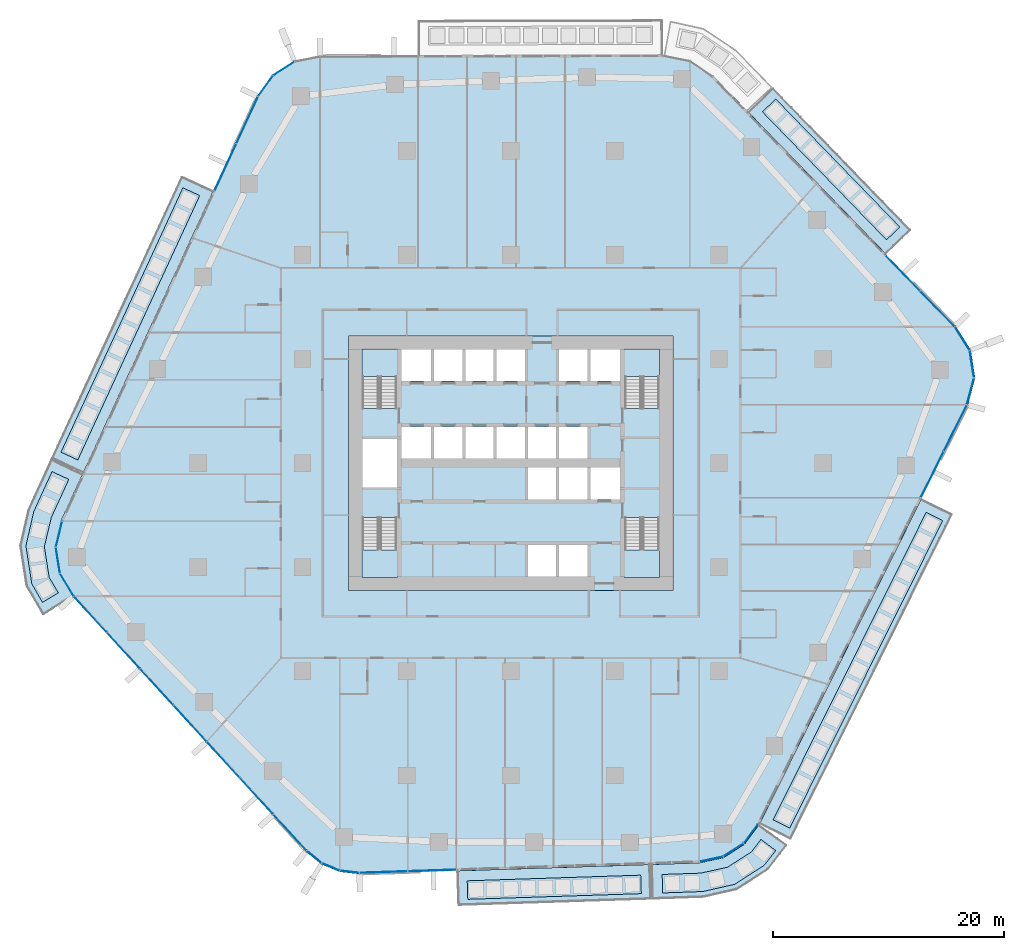
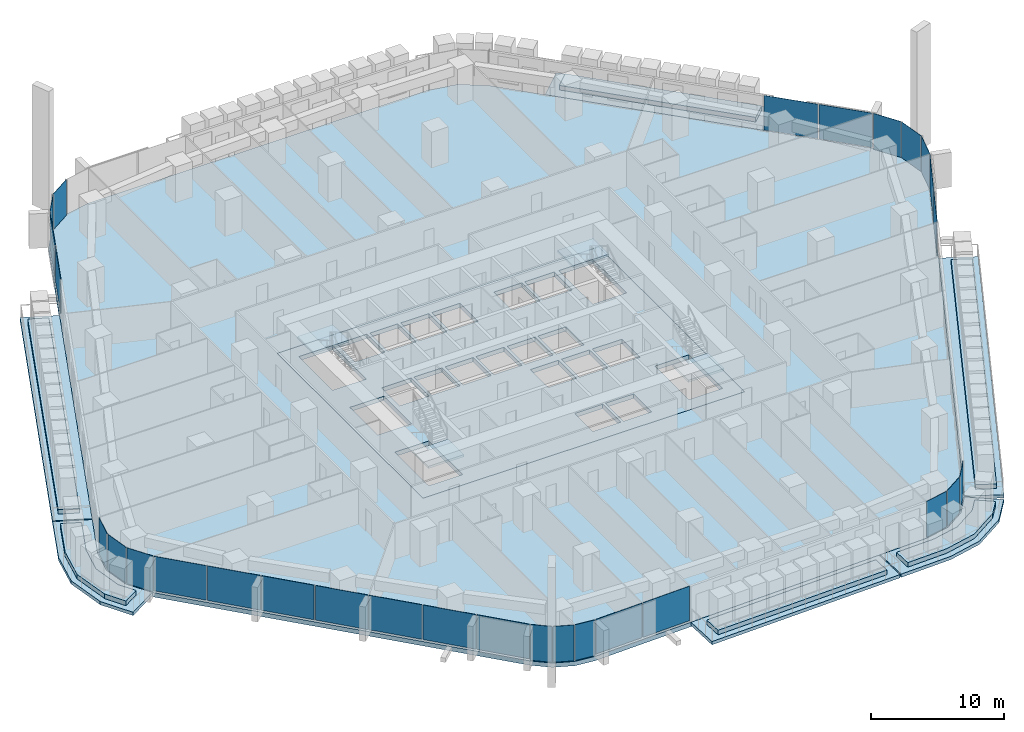
# One storey, part 11 of 27: 29 plates, 18 slabs, 14 elements without a shape of their own.
"""IFC4 building model written with IfcOpenShell, lengths in metres."""

from ifc_helpers import new_model, si_unit, direction, frame, origin, origin_2d, place, context, subcontext, project, spatial, polyline, rectangle, outline, extrude, material, layer, layer_set, type_object, element, aggregate, save


model = new_model("IFC4")

# Units and contexts
model_context = context("Model", 3, precision=1e-05, world=origin(), true_north=direction((0.0, 1.0)))
body_context = subcontext(model_context, "Body", "Model", "MODEL_VIEW")
ifc_project = project(units=[si_unit("LENGTHUNIT", "METRE"), si_unit("AREAUNIT", "SQUARE_METRE"), si_unit("VOLUMEUNIT", "CUBIC_METRE"), si_unit("PLANEANGLEUNIT", "RADIAN"), si_unit("MASSUNIT", "GRAM", prefix="KILO")], contexts=[model_context])

# Site, building, storey
site_placement = place(None, origin())
site = spatial("IfcSite", under=ifc_project, at=site_placement, CompositionType="ELEMENT")
building_placement = place(site_placement, origin())
building = spatial("IfcBuilding", under=site, at=building_placement, Name="Dongbaek Canopy Tower", CompositionType="ELEMENT")
storey_placement = place(building_placement, frame((0.0, 0.0, 55.10009765625)))
storey = spatial("IfcBuildingStorey", under=building, at=storey_placement, Name="L09", CompositionType="ELEMENT", Elevation=55.10009765625)

# Slabs
ifc_material_1 = material(Name="Concrete C40/50", Category="concrete")
ifc_layer_1 = layer(ifc_material_1, 0.300048828125)
ifc_layer_set_1 = layer_set([ifc_layer_1], Name="Balcony slab 300")
slab_type_1 = type_object("IfcSlabType", Name="Balcony slab 300", PredefinedType="FLOOR", material=ifc_layer_set_1)
slab_1_placement = place(storey_placement, frame((0.0, 0.0, -0.300048828125)))
element("IfcSlab", 1, at=slab_1_placement, inside=storey, type_object=slab_type_1, Name="Balcony L09 1", PredefinedType="FLOOR", context=body_context, shape_type="SweptSolid", body=[
    extrude(outline(polyline([(32.42578125, 18.0625), (20.51953125, 30.344482421875), (22.673583984375, 32.4326171875), (34.579833984375, 20.150634765625), (32.42578125, 18.0625)])), origin(), (0.0, 0.0, 1.0), 0.300048828125),
])
slab_2_placement = place(storey_placement, frame((0.0, 0.0, -0.300048828125)))
element("IfcSlab", 2, at=slab_2_placement, inside=storey, type_object=slab_type_1, Name="Balcony L09 3", PredefinedType="FLOOR", context=body_context, shape_type="SweptSolid", body=[
    extrude(outline(polyline([(-25.712890625, 23.520751953125), (-36.9619140625, -0.86962890625), (-39.68603515625, 0.38671875), (-28.43701171875, 24.777099609375), (-25.712890625, 23.520751953125)])), origin(), (0.0, 0.0, 1.0), 0.300048828125),
])
slab_3_placement = place(storey_placement, frame((0.0, 0.0, -0.300048828125)))
element("IfcSlab", 3, at=slab_3_placement, inside=storey, type_object=slab_type_1, Name="Balcony L09 7", PredefinedType="FLOOR", context=body_context, shape_type="SweptSolid", body=[
    extrude(outline(polyline([(-37.003662109375, -0.96044921875), (-38.864501953125, -4.9951171875), (-39.4111328125, -7.261474609375), (-39.052490234375, -9.56494140625), (-37.869140625, -11.51513671875), (-40.433837890625, -13.0712890625), (-41.870849609375, -10.59326171875), (-42.408447265625, -7.13818359375), (-41.698486328125, -4.0107421875), (-39.727783203125, 0.2958984375), (-37.003662109375, -0.96044921875)])), origin(), (0.0, 0.0, 1.0), 0.300048828125),
])
slab_4_placement = place(storey_placement, frame((0.0, 0.0, -0.300048828125)))
element("IfcSlab", 4, at=slab_4_placement, inside=storey, type_object=slab_type_1, Name="Balcony L09 4", PredefinedType="FLOOR", context=body_context, shape_type="SweptSolid", body=[
    extrude(outline(polyline([(-4.643310546875, -35.234130859375), (12.052001953125, -34.68896484375), (12.14990234375, -37.687255859375), (-4.545166015625, -38.232666015625), (-4.643310546875, -35.234130859375)])), origin(), (0.0, 0.0, 1.0), 0.300048828125),
])
slab_5_placement = place(storey_placement, frame((0.0, 0.0, -0.300048828125)))
element("IfcSlab", 5, at=slab_5_placement, inside=storey, type_object=slab_type_1, Name="Balcony L09 8", PredefinedType="FLOOR", context=body_context, shape_type="SweptSolid", body=[
    extrude(outline(polyline([(12.15185546875, -34.685546875), (16.30078125, -34.550048828125), (18.393798828125, -34.099609375), (20.1953125, -32.94287109375), (21.446044921875, -31.267333984375), (23.85009765625, -33.06201171875), (22.240478515625, -35.1376953125), (19.5380859375, -36.872802734375), (16.666748046875, -37.527587890625), (12.249755859375, -37.68408203125), (12.15185546875, -34.685546875)])), origin(), (0.0, 0.0, 1.0), 0.300048828125),
])
slab_6_placement = place(storey_placement, frame((0.0, 0.0, -0.300048828125)))
element("IfcSlab", 6, at=slab_6_placement, inside=storey, type_object=slab_type_1, Name="Balcony L09 5", PredefinedType="FLOOR", context=body_context, shape_type="SweptSolid", body=[
    extrude(outline(polyline([(21.498291015625, -31.1826171875), (35.4814453125, -3.095703125), (38.167236328125, -4.432861328125), (24.183837890625, -32.51953125), (21.498291015625, -31.1826171875)])), origin(), (0.0, 0.0, 1.0), 0.300048828125),
])

# Curtain wall, plates
ifc_material_2 = material(Name="Aluminium 6063-T6 pale anodised", Category="aluminium")
ifc_layer_2 = layer(ifc_material_2, 0.199951171875)
ifc_layer_set_2 = layer_set([ifc_layer_2], Name="CW-1 unitised tower curtain wall")
curtain_wall_type = type_object("IfcCurtainWallType", Name="CW-1 unitised tower curtain wall", PredefinedType="NOTDEFINED", material=ifc_layer_set_2)
curtain_wall_1_placement = place(storey_placement, origin())
curtain_wall_1 = element("IfcCurtainWall", 7, at=curtain_wall_1_placement, inside=storey, type_object=curtain_wall_type, Name="CW-1 curtain wall K0.1", PredefinedType="NOTDEFINED")
ifc_material_3 = material(Name="Clear laminated glass", Category="glass")
ifc_layer_3 = layer(ifc_material_3, 0.028076171875)
ifc_layer_set_3 = layer_set([ifc_layer_3], Name="CW-1 glazed panel 28")
plate_type = type_object("IfcPlateType", Name="CW-1 glazed panel 28", PredefinedType="CURTAIN_PANEL", material=ifc_layer_set_3)
plate_1_placement = place(storey_placement, frame((39.72412109375, 6.202880859375, 0.0), z_axis=(0.0, 0.0, 1.0), x_axis=(0.253824279961, 0.967250347585, 0.0)))
plate_1 = element("IfcPlate", 8, at=plate_1_placement, type_object=plate_type, Name="CW-1 panel K0.1.1.1", PredefinedType="CURTAIN_PANEL", context=body_context, shape_type="SweptSolid", body=[
    extrude(rectangle(XDim=2.331298828125, YDim=0.028076171875, at=origin_2d()), origin(), (0.0, 0.0, 1.0), 3.300048828125),
])
plate_2_placement = place(storey_placement, frame((39.84619140625, 8.55908203125, 0.0), z_axis=(0.0, 0.0, 1.0), x_axis=(-0.153359578382, 0.988170450741, 0.0)))
plate_2 = element("IfcPlate", 9, at=plate_2_placement, type_object=plate_type, Name="CW-1 panel K0.1.2.1", PredefinedType="CURTAIN_PANEL", context=body_context, shape_type="SweptSolid", body=[
    extrude(rectangle(XDim=2.32080078125, YDim=0.028076171875, at=origin_2d()), origin(), (0.0, 0.0, 1.0), 3.300048828125),
])
plate_3_placement = place(storey_placement, frame((39.015869140625, 10.767333984375, 0.0), z_axis=(0.0, 0.0, 1.0), x_axis=(-0.535049500926, 0.844820709713, 0.0)))
plate_3 = element("IfcPlate", 10, at=plate_3_placement, type_object=plate_type, Name="CW-1 panel K0.1.3.1", PredefinedType="CURTAIN_PANEL", context=body_context, shape_type="SweptSolid", body=[
    extrude(rectangle(XDim=2.331298828125, YDim=0.028076171875, at=origin_2d()), origin(), (0.0, 0.0, 1.0), 3.300048828125),
])
aggregate(curtain_wall_1, [plate_1, plate_2, plate_3])

curtain_wall_2_placement = place(storey_placement, origin())
curtain_wall_2 = element("IfcCurtainWall", 11, at=curtain_wall_2_placement, inside=storey, type_object=curtain_wall_type, Name="CW-1 curtain wall F0.1", PredefinedType="NOTDEFINED")
plate_4_placement = place(storey_placement, frame((36.876220703125, 13.328125, 0.1201171875), z_axis=(0.0, 0.0, 1.0), x_axis=(-0.69603897457, 0.718004001298, 0.0)))
plate_4 = element("IfcPlate", 12, at=plate_4_placement, type_object=plate_type, Name="CW-1 panel F0.1.1.1", PredefinedType="CURTAIN_PANEL", context=body_context, shape_type="SweptSolid", body=[
    extrude(rectangle(XDim=4.20703125, YDim=0.028076171875, at=origin_2d()), origin(), (0.0, 0.0, 1.0), 3.179931640625),
])
plate_5_placement = place(storey_placement, frame((33.885986328125, 16.412841796875, 0.1201171875), z_axis=(0.0, 0.0, 1.0), x_axis=(-0.69603897457, 0.718004001298, 0.0)))
plate_5 = element("IfcPlate", 13, at=plate_5_placement, type_object=plate_type, Name="CW-1 panel F0.1.2.1", PredefinedType="CURTAIN_PANEL", context=body_context, shape_type="SweptSolid", body=[
    extrude(rectangle(XDim=4.217529296875, YDim=0.028076171875, at=origin_2d()), origin(), (0.0, 0.0, 1.0), 3.179931640625),
])
aggregate(curtain_wall_2, [plate_4, plate_5])

curtain_wall_3_placement = place(storey_placement, origin())
curtain_wall_3 = element("IfcCurtainWall", 14, at=curtain_wall_3_placement, inside=storey, type_object=curtain_wall_type, Name="CW-1 curtain wall K2.1", PredefinedType="NOTDEFINED")
plate_6_placement = place(storey_placement, frame((-19.60888671875, 34.08837890625, 0.0), z_axis=(0.0, 0.0, 1.0), x_axis=(-0.841542992553, -0.540190144009, 0.0)))
plate_6 = element("IfcPlate", 15, at=plate_6_placement, type_object=plate_type, Name="CW-1 panel K2.1.2.1", PredefinedType="CURTAIN_PANEL", context=body_context, shape_type="SweptSolid", body=[
    extrude(rectangle(XDim=2.13623046875, YDim=0.028076171875, at=origin_2d()), origin(), (0.0, 0.0, 1.0), 3.300048828125),
])
plate_7_placement = place(storey_placement, frame((-21.1923828125, 32.582275390625, 0.0), z_axis=(0.0, 0.0, 1.0), x_axis=(-0.58222955905, -0.813024440327, 0.0)))
plate_7 = element("IfcPlate", 16, at=plate_7_placement, type_object=plate_type, Name="CW-1 panel K2.1.3.1", PredefinedType="CURTAIN_PANEL", context=body_context, shape_type="SweptSolid", body=[
    extrude(rectangle(XDim=2.145751953125, YDim=0.028076171875, at=origin_2d()), origin(), (0.0, 0.0, 1.0), 3.300048828125),
])
aggregate(curtain_wall_3, [plate_6, plate_7])

curtain_wall_4_placement = place(storey_placement, origin())
curtain_wall_4 = element("IfcCurtainWall", 17, at=curtain_wall_4_placement, inside=storey, type_object=curtain_wall_type, Name="CW-1 curtain wall F2.1", PredefinedType="NOTDEFINED")
plate_8_placement = place(storey_placement, frame((-22.7802734375, 29.64013671875, 0.1201171875), z_axis=(0.0, 0.0, 1.0), x_axis=(-0.418811237761, -0.908073315942, 0.0)))
plate_8 = element("IfcPlate", 18, at=plate_8_placement, type_object=plate_type, Name="CW-1 panel F2.1.1.1", PredefinedType="CURTAIN_PANEL", context=body_context, shape_type="SweptSolid", body=[
    extrude(rectangle(XDim=4.399658203125, YDim=0.028076171875, at=origin_2d()), origin(), (0.0, 0.0, 1.0), 3.179931640625),
])
plate_9_placement = place(storey_placement, frame((-24.66015625, 25.564208984375, 0.1201171875), z_axis=(0.0, 0.0, 1.0), x_axis=(-0.418811237761, -0.908073315942, 0.0)))
plate_9 = element("IfcPlate", 19, at=plate_9_placement, type_object=plate_type, Name="CW-1 panel F2.1.2.1", PredefinedType="CURTAIN_PANEL", context=body_context, shape_type="SweptSolid", body=[
    extrude(rectangle(XDim=4.4091796875, YDim=0.028076171875, at=origin_2d()), origin(), (0.0, 0.0, 1.0), 3.179931640625),
])
aggregate(curtain_wall_4, [plate_8, plate_9])

curtain_wall_5_placement = place(storey_placement, origin())
curtain_wall_5 = element("IfcCurtainWall", 20, at=curtain_wall_5_placement, inside=storey, type_object=curtain_wall_type, Name="CW-1 curtain wall K3.1", PredefinedType="NOTDEFINED")
plate_10_placement = place(storey_placement, frame((-39.039306640625, -6.14697265625, 0.0), z_axis=(0.0, 0.0, 1.0), x_axis=(-0.234426155639, -0.972133929843, 0.0)))
plate_10 = element("IfcPlate", 21, at=plate_10_placement, type_object=plate_type, Name="CW-1 panel K3.1.1.1", PredefinedType="CURTAIN_PANEL", context=body_context, shape_type="SweptSolid", body=[
    extrude(rectangle(XDim=2.217529296875, YDim=0.028076171875, at=origin_2d()), origin(), (0.0, 0.0, 1.0), 3.300048828125),
])
plate_11_placement = place(storey_placement, frame((-39.133056640625, -8.397705078125, 0.0), z_axis=(0.0, 0.0, 1.0), x_axis=(0.153774363281, -0.988105988848, 0.0)))
plate_11 = element("IfcPlate", 22, at=plate_11_placement, type_object=plate_type, Name="CW-1 panel K3.1.2.1", PredefinedType="CURTAIN_PANEL", context=body_context, shape_type="SweptSolid", body=[
    extrude(rectangle(XDim=2.20751953125, YDim=0.028076171875, at=origin_2d()), origin(), (0.0, 0.0, 1.0), 3.300048828125),
])
plate_12_placement = place(storey_placement, frame((-38.35986328125, -10.513671875, 0.0), z_axis=(0.0, 0.0, 1.0), x_axis=(0.518761911703, -0.854918755769, 0.0)))
plate_12 = element("IfcPlate", 23, at=plate_12_placement, type_object=plate_type, Name="CW-1 panel K3.1.3.1", PredefinedType="CURTAIN_PANEL", context=body_context, shape_type="SweptSolid", body=[
    extrude(rectangle(XDim=2.217529296875, YDim=0.028076171875, at=origin_2d()), origin(), (0.0, 0.0, 1.0), 3.300048828125),
])
aggregate(curtain_wall_5, [plate_10, plate_11, plate_12])

curtain_wall_6_placement = place(storey_placement, origin())
curtain_wall_6 = element("IfcCurtainWall", 24, at=curtain_wall_6_placement, inside=storey, type_object=curtain_wall_type, Name="CW-1 curtain wall F3.1", PredefinedType="NOTDEFINED")
plate_13_placement = place(storey_placement, frame((-36.328369140625, -13.065673828125, 0.1201171875), z_axis=(0.0, 0.0, 1.0), x_axis=(0.674959422667, -0.737854848702, 0.0)))
plate_13 = element("IfcPlate", 25, at=plate_13_placement, type_object=plate_type, Name="CW-1 panel F3.1.1.1", PredefinedType="CURTAIN_PANEL", context=body_context, shape_type="SweptSolid", body=[
    extrude(rectangle(XDim=4.166748046875, YDim=0.028076171875, at=origin_2d()), origin(), (0.0, 0.0, 1.0), 3.179931640625),
])
plate_14_placement = place(storey_placement, frame((-33.4560546875, -16.205810546875, 0.1201171875), z_axis=(0.0, 0.0, 1.0), x_axis=(0.674959422667, -0.737854848702, 0.0)))
plate_14 = element("IfcPlate", 26, at=plate_14_placement, type_object=plate_type, Name="CW-1 panel F3.1.2.1", PredefinedType="CURTAIN_PANEL", context=body_context, shape_type="SweptSolid", body=[
    extrude(rectangle(XDim=4.176513671875, YDim=0.028076171875, at=origin_2d()), origin(), (0.0, 0.0, 1.0), 3.179931640625),
])
plate_15_placement = place(storey_placement, frame((-30.580322265625, -19.349365234375, 0.1201171875), z_axis=(0.0, 0.0, 1.0), x_axis=(0.674959422667, -0.737854848702, 0.0)))
plate_15 = element("IfcPlate", 27, at=plate_15_placement, type_object=plate_type, Name="CW-1 panel F3.1.3.1", PredefinedType="CURTAIN_PANEL", context=body_context, shape_type="SweptSolid", body=[
    extrude(rectangle(XDim=4.176513671875, YDim=0.028076171875, at=origin_2d()), origin(), (0.0, 0.0, 1.0), 3.179931640625),
])
plate_16_placement = place(storey_placement, frame((-27.704833984375, -22.492919921875, 0.1201171875), z_axis=(0.0, 0.0, 1.0), x_axis=(0.674959422667, -0.737854848702, 0.0)))
plate_16 = element("IfcPlate", 28, at=plate_16_placement, type_object=plate_type, Name="CW-1 panel F3.1.4.1", PredefinedType="CURTAIN_PANEL", context=body_context, shape_type="SweptSolid", body=[
    extrude(rectangle(XDim=4.176513671875, YDim=0.028076171875, at=origin_2d()), origin(), (0.0, 0.0, 1.0), 3.179931640625),
])
plate_17_placement = place(storey_placement, frame((-24.8291015625, -25.636474609375, 0.1201171875), z_axis=(0.0, 0.0, 1.0), x_axis=(0.674959422667, -0.737854848702, 0.0)))
plate_17 = element("IfcPlate", 29, at=plate_17_placement, type_object=plate_type, Name="CW-1 panel F3.1.5.1", PredefinedType="CURTAIN_PANEL", context=body_context, shape_type="SweptSolid", body=[
    extrude(rectangle(XDim=4.176513671875, YDim=0.028076171875, at=origin_2d()), origin(), (0.0, 0.0, 1.0), 3.179931640625),
])
plate_18_placement = place(storey_placement, frame((-21.953369140625, -28.780029296875, 0.1201171875), z_axis=(0.0, 0.0, 1.0), x_axis=(0.674959422667, -0.737854848702, 0.0)))
plate_18 = element("IfcPlate", 30, at=plate_18_placement, type_object=plate_type, Name="CW-1 panel F3.1.6.1", PredefinedType="CURTAIN_PANEL", context=body_context, shape_type="SweptSolid", body=[
    extrude(rectangle(XDim=4.176513671875, YDim=0.028076171875, at=origin_2d()), origin(), (0.0, 0.0, 1.0), 3.179931640625),
])
plate_19_placement = place(storey_placement, frame((-19.080322265625, -31.921142578125, 0.1201171875), z_axis=(0.0, 0.0, 1.0), x_axis=(0.674959422667, -0.737854848702, 0.0)))
plate_19 = element("IfcPlate", 31, at=plate_19_placement, type_object=plate_type, Name="CW-1 panel F3.1.7.1", PredefinedType="CURTAIN_PANEL", context=body_context, shape_type="SweptSolid", body=[
    extrude(rectangle(XDim=4.169189453125, YDim=0.028076171875, at=origin_2d()), origin(), (0.0, 0.0, 1.0), 3.179931640625),
])
aggregate(curtain_wall_6, [plate_13, plate_14, plate_15, plate_16, plate_17, plate_18, plate_19])

curtain_wall_7_placement = place(storey_placement, origin())
curtain_wall_7 = element("IfcCurtainWall", 32, at=curtain_wall_7_placement, inside=storey, type_object=curtain_wall_type, Name="CW-1 curtain wall K4.1", PredefinedType="NOTDEFINED")
plate_20_placement = place(storey_placement, frame((-16.98828125, -34.02783203125, 0.0), z_axis=(0.0, 0.0, 1.0), x_axis=(0.773703452256, -0.633547920813, 0.0)))
plate_20 = element("IfcPlate", 33, at=plate_20_placement, type_object=plate_type, Name="CW-1 panel K4.1.1.1", PredefinedType="CURTAIN_PANEL", context=body_context, shape_type="SweptSolid", body=[
    extrude(rectangle(XDim=1.613525390625, YDim=0.028076171875, at=origin_2d()), origin(), (0.0, 0.0, 1.0), 3.300048828125),
])
plate_21_placement = place(storey_placement, frame((-15.552734375, -34.893798828125, 0.0), z_axis=(0.0, 0.0, 1.0), x_axis=(0.921598440482, -0.388144708196, 0.0)))
plate_21 = element("IfcPlate", 34, at=plate_21_placement, type_object=plate_type, Name="CW-1 panel K4.1.2.1", PredefinedType="CURTAIN_PANEL", context=body_context, shape_type="SweptSolid", body=[
    extrude(rectangle(XDim=1.606201171875, YDim=0.028076171875, at=origin_2d()), origin(), (0.0, 0.0, 1.0), 3.300048828125),
])
plate_22_placement = place(storey_placement, frame((-13.930419921875, -35.31591796875, 0.0), z_axis=(0.0, 0.0, 1.0), x_axis=(0.993834192514, -0.110876497913, 0.0)))
plate_22 = element("IfcPlate", 35, at=plate_22_placement, type_object=plate_type, Name="CW-1 panel K4.1.3.1", PredefinedType="CURTAIN_PANEL", context=body_context, shape_type="SweptSolid", body=[
    extrude(rectangle(XDim=1.613525390625, YDim=0.028076171875, at=origin_2d()), origin(), (0.0, 0.0, 1.0), 3.300048828125),
])
aggregate(curtain_wall_7, [plate_20, plate_21, plate_22])

curtain_wall_8_placement = place(storey_placement, origin())
curtain_wall_8 = element("IfcCurtainWall", 36, at=curtain_wall_8_placement, inside=storey, type_object=curtain_wall_type, Name="CW-1 curtain wall F4.1", PredefinedType="NOTDEFINED")
plate_23_placement = place(storey_placement, frame((-10.990966796875, -35.341552734375, 0.1201171875), z_axis=(0.0, 0.0, 1.0), x_axis=(0.999466990626, 0.032645591573, 0.0)))
plate_23 = element("IfcPlate", 37, at=plate_23_placement, type_object=plate_type, Name="CW-1 panel F4.1.1.1", PredefinedType="CURTAIN_PANEL", context=body_context, shape_type="SweptSolid", body=[
    extrude(rectangle(XDim=4.10986328125, YDim=0.028076171875, at=origin_2d()), origin(), (0.0, 0.0, 1.0), 3.179931640625),
])
plate_24_placement = place(storey_placement, frame((-6.7958984375, -35.204345703125, 0.1201171875), z_axis=(0.0, 0.0, 1.0), x_axis=(0.999466990626, 0.032645591573, 0.0)))
plate_24 = element("IfcPlate", 38, at=plate_24_placement, type_object=plate_type, Name="CW-1 panel F4.1.2.1", PredefinedType="CURTAIN_PANEL", context=body_context, shape_type="SweptSolid", body=[
    extrude(rectangle(XDim=4.116943359375, YDim=0.028076171875, at=origin_2d()), origin(), (0.0, 0.0, 1.0), 3.179931640625),
])
aggregate(curtain_wall_8, [plate_23, plate_24])

curtain_wall_9_placement = place(storey_placement, origin())
curtain_wall_9 = element("IfcCurtainWall", 39, at=curtain_wall_9_placement, inside=storey, type_object=curtain_wall_type, Name="CW-1 curtain wall K5.1", PredefinedType="NOTDEFINED")
plate_25_placement = place(storey_placement, frame((17.32177734375, -34.22802734375, 0.0), z_axis=(0.0, 0.0, 1.0), x_axis=(0.977607769936, 0.210435377636, 0.0)))
plate_25 = element("IfcPlate", 40, at=plate_25_placement, type_object=plate_type, Name="CW-1 panel K5.1.1.1", PredefinedType="CURTAIN_PANEL", context=body_context, shape_type="SweptSolid", body=[
    extrude(rectangle(XDim=2.02978515625, YDim=0.028076171875, at=origin_2d()), origin(), (0.0, 0.0, 1.0), 3.300048828125),
])
plate_26_placement = place(storey_placement, frame((19.240478515625, -33.43701171875, 0.0), z_axis=(0.0, 0.0, 1.0), x_axis=(0.841491649335, 0.54027012142, 0.0)))
plate_26 = element("IfcPlate", 41, at=plate_26_placement, type_object=plate_type, Name="CW-1 panel K5.1.2.1", PredefinedType="CURTAIN_PANEL", context=body_context, shape_type="SweptSolid", body=[
    extrude(rectangle(XDim=2.020751953125, YDim=0.028076171875, at=origin_2d()), origin(), (0.0, 0.0, 1.0), 3.300048828125),
])
plate_27_placement = place(storey_placement, frame((20.75830078125, -32.021728515625, 0.0), z_axis=(0.0, 0.0, 1.0), x_axis=(0.598238026638, 0.801318453228, 0.0)))
plate_27 = element("IfcPlate", 42, at=plate_27_placement, type_object=plate_type, Name="CW-1 panel K5.1.3.1", PredefinedType="CURTAIN_PANEL", context=body_context, shape_type="SweptSolid", body=[
    extrude(rectangle(XDim=2.02978515625, YDim=0.028076171875, at=origin_2d()), origin(), (0.0, 0.0, 1.0), 3.300048828125),
])
aggregate(curtain_wall_9, [plate_25, plate_26, plate_27])

curtain_wall_10_placement = place(storey_placement, origin())
curtain_wall_10 = element("IfcCurtainWall", 43, at=curtain_wall_10_placement, inside=storey, type_object=curtain_wall_type, Name="CW-1 curtain wall F5.1", PredefinedType="NOTDEFINED")
plate_28_placement = place(storey_placement, frame((36.416259765625, -0.993896484375, 0.1201171875), z_axis=(0.0, 0.0, 1.0), x_axis=(0.445678057682, 0.895193313704, 0.0)))
plate_28 = element("IfcPlate", 44, at=plate_28_placement, type_object=plate_type, Name="CW-1 panel F5.1.1.1", PredefinedType="CURTAIN_PANEL", context=body_context, shape_type="SweptSolid", body=[
    extrude(rectangle(XDim=4.412353515625, YDim=0.028076171875, at=origin_2d()), origin(), (0.0, 0.0, 1.0), 3.179931640625),
])
plate_29_placement = place(storey_placement, frame((38.41796875, 3.02685546875, 0.1201171875), z_axis=(0.0, 0.0, 1.0), x_axis=(0.445678057682, 0.895193313704, 0.0)))
plate_29 = element("IfcPlate", 45, at=plate_29_placement, type_object=plate_type, Name="CW-1 panel F5.1.2.1", PredefinedType="CURTAIN_PANEL", context=body_context, shape_type="SweptSolid", body=[
    extrude(rectangle(XDim=4.402099609375, YDim=0.028076171875, at=origin_2d()), origin(), (0.0, 0.0, 1.0), 3.179931640625),
])
aggregate(curtain_wall_10, [plate_28, plate_29])

# Slab
ifc_material_4 = material(Name="Concrete C40/50", Category="concrete")
ifc_layer_4 = layer(ifc_material_4, 0.39990234375)
ifc_layer_set_4 = layer_set([ifc_layer_4], Name="Core floor slab 400 Concrete C40/50")
slab_type_2 = type_object("IfcSlabType", Name="Core floor slab 400 Concrete C40/50", PredefinedType="FLOOR", material=ifc_layer_set_4)
slab_7_placement = place(storey_placement, frame((0.0, 0.0, -0.400146484375)))
element("IfcSlab", 46, at=slab_7_placement, inside=storey, type_object=slab_type_2, Name="Core floor slab L09", PredefinedType="FLOOR", context=body_context, shape_type="SweptSolid", body=[
    extrude(outline(polyline([(14.0, -11.0), (14.0, 11.0), (-14.0, 11.0), (-14.0, -11.0), (14.0, -11.0)]), holes=[polyline([(-12.800048828125, 2.10009765625), (-9.85009765625, 2.10009765625), (-9.85009765625, -2.10009765625), (-12.800048828125, -2.10009765625), (-12.800048828125, 2.10009765625)]), polyline([(-6.875, 9.800048828125), (-6.875, 7.074951171875), (-9.449951171875, 7.074951171875), (-9.449951171875, 9.800048828125), (-6.875, 9.800048828125)]), polyline([(-4.175048828125, 9.800048828125), (-4.175048828125, 7.074951171875), (-6.625, 7.074951171875), (-6.625, 9.800048828125), (-4.175048828125, 9.800048828125)]), polyline([(-1.47509765625, 9.800048828125), (-1.47509765625, 7.074951171875), (-3.925048828125, 7.074951171875), (-3.925048828125, 9.800048828125), (-1.47509765625, 9.800048828125)]), polyline([(1.22509765625, 9.800048828125), (1.22509765625, 7.074951171875), (-1.22509765625, 7.074951171875), (-1.22509765625, 9.800048828125), (1.22509765625, 9.800048828125)]), polyline([(6.625, 9.800048828125), (6.625, 7.074951171875), (4.175048828125, 7.074951171875), (4.175048828125, 9.800048828125), (6.625, 9.800048828125)]), polyline([(9.449951171875, 7.074951171875), (6.875, 7.074951171875), (6.875, 9.800048828125), (9.449951171875, 9.800048828125), (9.449951171875, 7.074951171875)]), polyline([(-9.449951171875, 3.125), (-6.875, 3.125), (-6.875, 0.39990234375), (-9.449951171875, 0.39990234375), (-9.449951171875, 3.125)]), polyline([(-6.625, 3.125), (-4.175048828125, 3.125), (-4.175048828125, 0.39990234375), (-6.625, 0.39990234375), (-6.625, 3.125)]), polyline([(-3.925048828125, 3.125), (-1.47509765625, 3.125), (-1.47509765625, 0.39990234375), (-3.925048828125, 0.39990234375), (-3.925048828125, 3.125)]), polyline([(-1.22509765625, 3.125), (1.22509765625, 3.125), (1.22509765625, 0.39990234375), (-1.22509765625, 0.39990234375), (-1.22509765625, 3.125)]), polyline([(1.47509765625, 0.39990234375), (1.47509765625, 3.125), (3.925048828125, 3.125), (3.925048828125, 0.39990234375), (1.47509765625, 0.39990234375)]), polyline([(4.175048828125, 0.39990234375), (4.175048828125, 3.125), (6.625, 3.125), (6.625, 0.39990234375), (4.175048828125, 0.39990234375)]), polyline([(3.925048828125, -0.39990234375), (3.925048828125, -3.125), (1.47509765625, -3.125), (1.47509765625, -0.39990234375), (3.925048828125, -0.39990234375)]), polyline([(6.625, -0.39990234375), (6.625, -3.125), (4.175048828125, -3.125), (4.175048828125, -0.39990234375), (6.625, -0.39990234375)]), polyline([(9.449951171875, -3.125), (6.875, -3.125), (6.875, -0.39990234375), (9.449951171875, -0.39990234375), (9.449951171875, -3.125)]), polyline([(1.47509765625, -9.800048828125), (1.47509765625, -7.074951171875), (3.925048828125, -7.074951171875), (3.925048828125, -9.800048828125), (1.47509765625, -9.800048828125)]), polyline([(4.175048828125, -9.800048828125), (4.175048828125, -7.074951171875), (6.625, -7.074951171875), (6.625, -9.800048828125), (4.175048828125, -9.800048828125)]), polyline([(12.800048828125, 4.70068359375), (12.800048828125, 9.800048828125), (9.85009765625, 9.800048828125), (9.85009765625, 4.70068359375), (12.800048828125, 4.70068359375)]), polyline([(-9.85009765625, 4.70068359375), (-9.85009765625, 9.800048828125), (-12.800048828125, 9.800048828125), (-12.800048828125, 4.70068359375), (-9.85009765625, 4.70068359375)]), polyline([(9.85009765625, -4.70068359375), (9.85009765625, -9.800048828125), (12.800048828125, -9.800048828125), (12.800048828125, -4.70068359375), (9.85009765625, -4.70068359375)]), polyline([(-12.800048828125, -4.70068359375), (-12.800048828125, -9.800048828125), (-9.85009765625, -9.800048828125), (-9.85009765625, -4.70068359375), (-12.800048828125, -4.70068359375)])]), origin(), (0.0, 0.0, 1.0), 0.400146484375),
])

# Stair, slab
ifc_material_5 = material(Name="Concrete C40/50", Category="concrete")
stair_type = type_object("IfcStairType", Name="Core exit stair", PredefinedType="HALF_TURN_STAIR", material=ifc_material_5)
stair_1_placement = place(storey_placement, origin())
stair_1 = element("IfcStair", 47, at=stair_1_placement, inside=storey, type_object=stair_type, Name="L09 exit stair A", PredefinedType="HALF_TURN_STAIR")
ifc_material_6 = material(Name="Concrete C40/50", Category="concrete")
ifc_layer_5 = layer(ifc_material_6, 0.199951171875)
ifc_layer_set_5 = layer_set([ifc_layer_5], Name="Core stair landing 200")
slab_type_3 = type_object("IfcSlabType", Name="Core stair landing 200", PredefinedType="LANDING", material=ifc_layer_set_5)
slab_8_placement = place(storey_placement, frame((0.0, 0.0, 1.64990234375)))
slab_8 = element("IfcSlab", 48, at=slab_8_placement, type_object=slab_type_3, Name="ST-A landing 1", PredefinedType="LANDING", context=body_context, shape_type="SweptSolid", body=[
    extrude(outline(polyline([(12.875, 7.5), (12.875, 9.875), (9.77490234375, 9.875), (9.77490234375, 7.5), (12.875, 7.5)])), origin(), (0.0, 0.0, 1.0), 0.199951171875),
])
aggregate(stair_1, [slab_8])

stair_2_placement = place(storey_placement, origin())
stair_2 = element("IfcStair", 49, at=stair_2_placement, inside=storey, type_object=stair_type, Name="L09 exit stair C", PredefinedType="HALF_TURN_STAIR")
slab_9_placement = place(storey_placement, frame((0.0, 0.0, 1.64990234375)))
slab_9 = element("IfcSlab", 50, at=slab_9_placement, type_object=slab_type_3, Name="ST-C landing 1", PredefinedType="LANDING", context=body_context, shape_type="SweptSolid", body=[
    extrude(outline(polyline([(-9.77490234375, 7.5), (-9.77490234375, 9.875), (-12.875, 9.875), (-12.875, 7.5), (-9.77490234375, 7.5)])), origin(), (0.0, 0.0, 1.0), 0.199951171875),
])
aggregate(stair_2, [slab_9])

stair_3_placement = place(storey_placement, origin())
stair_3 = element("IfcStair", 51, at=stair_3_placement, inside=storey, type_object=stair_type, Name="L09 exit stair B", PredefinedType="HALF_TURN_STAIR")
slab_10_placement = place(storey_placement, frame((0.0, 0.0, 1.64990234375)))
slab_10 = element("IfcSlab", 52, at=slab_10_placement, type_object=slab_type_3, Name="ST-B landing 1", PredefinedType="LANDING", context=body_context, shape_type="SweptSolid", body=[
    extrude(outline(polyline([(9.77490234375, -7.5), (9.77490234375, -9.875), (12.875, -9.875), (12.875, -7.5), (9.77490234375, -7.5)])), origin(), (0.0, 0.0, 1.0), 0.199951171875),
])
aggregate(stair_3, [slab_10])

stair_4_placement = place(storey_placement, origin())
stair_4 = element("IfcStair", 53, at=stair_4_placement, inside=storey, type_object=stair_type, Name="L09 exit stair D", PredefinedType="HALF_TURN_STAIR")
slab_11_placement = place(storey_placement, frame((0.0, 0.0, 1.64990234375)))
slab_11 = element("IfcSlab", 54, at=slab_11_placement, type_object=slab_type_3, Name="ST-D landing 1", PredefinedType="LANDING", context=body_context, shape_type="SweptSolid", body=[
    extrude(outline(polyline([(-12.875, -7.5), (-12.875, -9.875), (-9.77490234375, -9.875), (-9.77490234375, -7.5), (-12.875, -7.5)])), origin(), (0.0, 0.0, 1.0), 0.199951171875),
])
aggregate(stair_4, [slab_11])

# Slabs
ifc_material_7 = material(Name="Concrete C40", Category="concrete")
ifc_layer_6 = layer(ifc_material_7, 0.39990234375)
ifc_layer_set_6 = layer_set([ifc_layer_6], Name="RC FLAT PLATE 400 Concrete C40")
slab_type_4 = type_object("IfcSlabType", Name="RC FLAT PLATE 400 Concrete C40", PredefinedType="FLOOR", material=ifc_layer_set_6)
slab_12_placement = place(storey_placement, frame((0.0, 0.0, -0.400146484375)))
element("IfcSlab", 55, at=slab_12_placement, inside=storey, type_object=slab_type_4, Name="SLAB:L09", PredefinedType="FLOOR", context=body_context, shape_type="SweptSolid", body=[
    extrude(outline(polyline([(21.47607421875, -31.227294921875), (20.1953125, -32.94287109375), (18.393798828125, -34.099609375), (16.30078125, -34.550048828125), (-13.0908203125, -35.510009765625), (-14.79931640625, -35.319580078125), (-16.3837890625, -34.652099609375), (-17.7138671875, -33.56298828125), (-37.84326171875, -11.557861328125), (-39.052490234375, -9.56494140625), (-39.410888671875, -7.261474609375), (-38.864501953125, -4.9951171875), (-21.92822265625, 31.726318359375), (-20.61328125, 33.5625), (-18.712646484375, 34.78271484375), (-16.495849609375, 35.21337890625), (13.166748046875, 35.29248046875), (15.514404296875, 34.821044921875), (17.49072265625, 33.468994140625), (38.448486328125, 11.849609375), (39.757568359375, 9.782958984375), (40.1328125, 7.365478515625), (39.51171875, 4.99951171875), (21.47607421875, -31.227294921875)]), holes=[polyline([(14.0, 11.0), (-14.0, 11.0), (-14.0, -11.0), (14.0, -11.0), (14.0, 11.0)])]), origin(), (0.0, 0.0, 1.0), 0.400146484375),
])
ifc_material_8 = material(Name="Reinforced concrete C40/50 planter box with soil", Category="concrete")
ifc_layer_7 = layer(ifc_material_8, 0.419921875)
ifc_layer_set_7 = layer_set([ifc_layer_7], Name="Terrace planter box 1600 x 420")
slab_type_5 = type_object("IfcSlabType", Name="Terrace planter box 1600 x 420", PredefinedType="USERDEFINED", material=ifc_layer_set_7)
slab_13_placement = place(storey_placement, origin())
element("IfcSlab", 56, at=slab_13_placement, inside=storey, type_object=slab_type_5, Name="Balcony planter L09 1", ObjectType="PLANTER", PredefinedType="USERDEFINED", context=body_context, shape_type="SweptSolid", body=[
    extrude(outline(polyline([(32.473388671875, 19.292236328125), (21.750244140625, 30.353759765625), (22.899169921875, 31.46728515625), (33.6220703125, 20.406005859375), (32.473388671875, 19.292236328125)])), origin(), (0.0, 0.0, 1.0), 0.419921875),
])
slab_14_placement = place(storey_placement, origin())
element("IfcSlab", 57, at=slab_14_placement, inside=storey, type_object=slab_type_5, Name="Balcony planter L09 3", ObjectType="PLANTER", PredefinedType="USERDEFINED", context=body_context, shape_type="SweptSolid", body=[
    extrude(outline(polyline([(-26.876953125, 23.12158203125), (-37.4140625, 0.27490234375), (-38.866943359375, 0.945068359375), (-28.329833984375, 23.791748046875), (-26.876953125, 23.12158203125)])), origin(), (0.0, 0.0, 1.0), 0.419921875),
])
slab_15_placement = place(storey_placement, origin())
element("IfcSlab", 58, at=slab_15_placement, inside=storey, type_object=slab_type_5, Name="Balcony planter L09 7", ObjectType="PLANTER", PredefinedType="USERDEFINED", context=body_context, shape_type="SweptSolid", body=[
    extrude(outline(polyline([(-38.188720703125, -1.405029296875), (-39.705322265625, -4.703125), (-40.30029296875, -7.224853515625), (-39.888671875, -9.869873046875), (-39.096923828125, -11.207275390625), (-40.46484375, -12.037353515625), (-41.3916015625, -10.41845703125), (-41.89892578125, -7.158935546875), (-41.216552734375, -4.177978515625), (-39.6416015625, -0.73486328125), (-38.188720703125, -1.405029296875)])), origin(), (0.0, 0.0, 1.0), 0.419921875),
])
slab_16_placement = place(storey_placement, origin())
element("IfcSlab", 59, at=slab_16_placement, inside=storey, type_object=slab_type_5, Name="Balcony planter L09 4", ObjectType="PLANTER", PredefinedType="USERDEFINED", context=body_context, shape_type="SweptSolid", body=[
    extrude(outline(polyline([(-3.7646484375, -36.095947265625), (11.2314453125, -35.606201171875), (11.28369140625, -37.205322265625), (-3.71240234375, -37.695068359375), (-3.7646484375, -36.095947265625)])), origin(), (0.0, 0.0, 1.0), 0.419921875),
])
slab_17_placement = place(storey_placement, origin())
element("IfcSlab", 60, at=slab_17_placement, inside=storey, type_object=slab_type_5, Name="Balcony planter L09 8", ObjectType="PLANTER", PredefinedType="USERDEFINED", context=body_context, shape_type="SweptSolid", body=[
    extrude(outline(polyline([(13.08056640625, -35.545654296875), (16.409423828125, -35.433349609375), (18.733154296875, -34.92236328125), (20.802001953125, -33.593994140625), (21.620849609375, -32.52099609375), (22.903076171875, -33.478271484375), (21.892822265625, -34.7646484375), (19.343505859375, -36.4013671875), (16.6044921875, -37.021484375), (13.1328125, -37.144775390625), (13.08056640625, -35.545654296875)])), origin(), (0.0, 0.0, 1.0), 0.419921875),
])
slab_18_placement = place(storey_placement, origin())
element("IfcSlab", 61, at=slab_18_placement, inside=storey, type_object=slab_type_5, Name="Balcony planter L09 5", ObjectType="PLANTER", PredefinedType="USERDEFINED", context=body_context, shape_type="SweptSolid", body=[
    extrude(outline(polyline([(22.673828125, -30.818359375), (35.8994140625, -4.25341796875), (37.331787109375, -4.96630859375), (24.106201171875, -31.531494140625), (22.673828125, -30.818359375)])), origin(), (0.0, 0.0, 1.0), 0.419921875),
])

save(model, "model.ifc")
